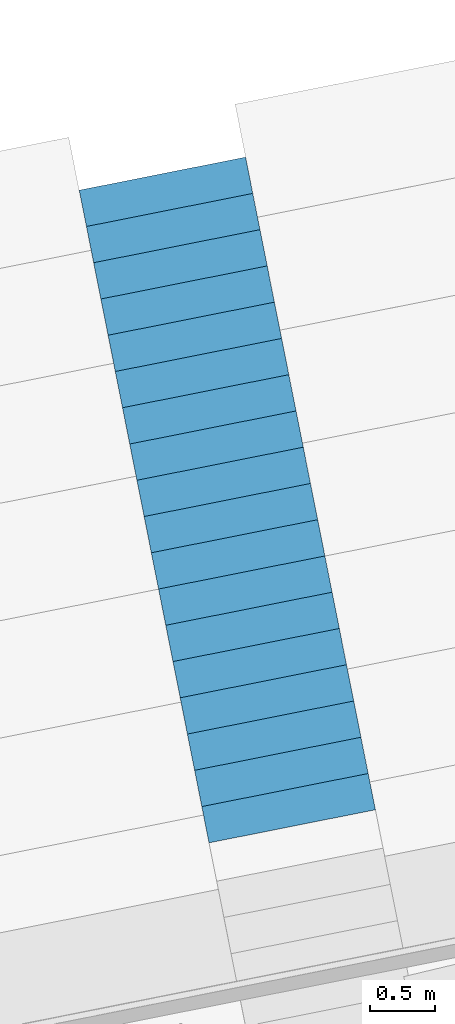
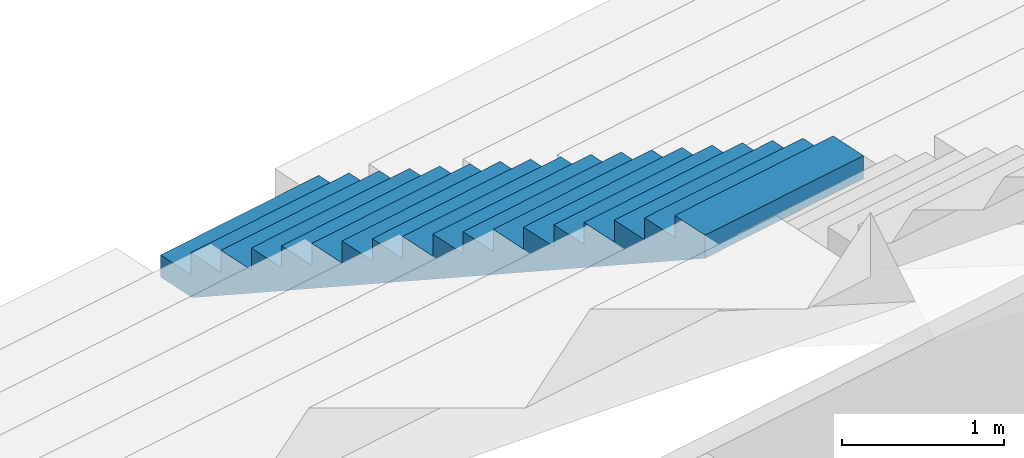
# One storey, part 157 of 249: 1 stair flight, 1 element without a shape of its own.
"""IFC4 building model written with IfcOpenShell, lengths in metres."""

import ifcopenshell
import ifcopenshell.guid

model = None  # the IFC model being written
_history = None  # IfcOwnerHistory: only IFC2X3 demands one
_inside = {}  # id of a spatial element -> (the spatial element, [elements in it])
_under = {}  # id of a project, library or spatial element -> (it, [spatial elements below it])
_declared = {}  # id of a project -> (the project, [libraries it declares])
_typed = {}  # id of a type object -> (the type object, [elements of that type])
_made_of = {}  # id of a material, layer set ... -> (it, [elements and type objects made of it])


def new_model(schema):
    """Start an empty IFC model of exactly this schema.

    Asked for "IFC4X3", IfcOpenShell would pick the latest addendum, in which some entities
    have other attributes; the version numbers below select the first issue.
    IFC2X3 requires an IfcOwnerHistory on every rooted entity: one is made here for all.
    """
    global model, _history
    if schema == "IFC4X3":
        model = ifcopenshell.file(schema_version=(4, 3, 0, 0))
    else:
        model = ifcopenshell.file(schema=schema)
    _inside.clear()
    _under.clear()
    _declared.clear()
    _typed.clear()
    _made_of.clear()
    _history = None
    if model.schema == "IFC2X3":
        org = make("IfcOrganization", Name="unknown")
        user = make(
            "IfcPersonAndOrganization",
            ThePerson=make("IfcPerson", FamilyName="unknown"),
            TheOrganization=org,
        )
        app = make(
            "IfcApplication",
            ApplicationDeveloper=org,
            Version="unknown",
            ApplicationFullName="unknown",
            ApplicationIdentifier="unknown",
        )
        _history = make(
            "IfcOwnerHistory",
            OwningUser=user,
            OwningApplication=app,
            ChangeAction="ADDED",
            CreationDate=0,
        )
    return model


def make(cls, **values):
    """One entity of the class cls with the attributes given. An attribute that is None is left unset."""
    return model.create_entity(
        cls, **{name: value for name, value in values.items() if value is not None}
    )


def rooted(cls, **values):
    """An entity with a GlobalId (a new one), such as an element, a storey or a relation."""
    return make(cls, GlobalId=ifcopenshell.guid.new(), OwnerHistory=_history, **values)


def si_unit(unit_type, name, prefix=None):
    """IfcSIUnit, for example si_unit("LENGTHUNIT", "METRE", prefix="MILLI")."""
    return make("IfcSIUnit", UnitType=unit_type, Prefix=prefix, Name=name)


def assignment(units):
    """IfcUnitAssignment: the units of a project."""
    return None if units is None else make("IfcUnitAssignment", Units=units)


def point(xyz):
    """IfcCartesianPoint."""
    return None if xyz is None else make("IfcCartesianPoint", Coordinates=xyz)


def direction(xyz):
    """IfcDirection."""
    return None if xyz is None else make("IfcDirection", DirectionRatios=xyz)


def frame(location, z_axis=None, x_axis=None):
    """IfcAxis2Placement3D, a coordinate frame: its origin and axes. An axis left out is left unset."""
    return make(
        "IfcAxis2Placement3D",
        Location=point(location),
        Axis=direction(z_axis),
        RefDirection=direction(x_axis),
    )


def origin():
    """The frame at (0, 0, 0) with its axes left unset."""
    return frame((0.0, 0.0, 0.0))


def place(relative_to, where):
    """IfcLocalPlacement: puts the frame where relative to a parent placement (None: the world)."""
    return make(
        "IfcLocalPlacement", PlacementRelTo=relative_to, RelativePlacement=where
    )


def context(
    kind, dimensions, precision=None, world=None, true_north=None, identifier=None
):
    """IfcGeometricRepresentationContext, for example the 3D "Model" context."""
    return make(
        "IfcGeometricRepresentationContext",
        ContextIdentifier=identifier,
        ContextType=kind,
        CoordinateSpaceDimension=dimensions,
        Precision=precision,
        WorldCoordinateSystem=world,
        TrueNorth=true_north,
    )


def subcontext(parent, identifier, kind, view, scale=None):
    """IfcGeometricRepresentationSubContext, for example "Body" below "Model"."""
    return make(
        "IfcGeometricRepresentationSubContext",
        ContextIdentifier=identifier,
        ContextType=kind,
        ParentContext=parent,
        TargetScale=scale,
        TargetView=view,
    )


def project(units=None, contexts=None):
    """IfcProject with its units and contexts."""
    return rooted(
        "IfcProject",
        Name="project",
        RepresentationContexts=contexts,
        UnitsInContext=assignment(units),
    )


def spatial(cls, under=None, at=None, **own):
    """A site, building, storey or space (cls), placed at a placement, below another one or the project."""
    s = rooted(cls, ObjectPlacement=at, **own)
    if under is not None:
        _under.setdefault(under.id(), (under, []))[1].append(s)
    return s


def faces_of(points, faces, orient=None, outer=None):
    """IfcFace entities. A face is a list of loops; a loop is a list of indices into points, from 0.

    orient and outer hold one flag for each loop. By default every Orientation is true, the
    first loop of a face is its IfcFaceOuterBound and the others are IfcFaceBound.
    """
    made = []
    for i, loops in enumerate(faces):
        bounds = []
        for j, loop in enumerate(loops):
            is_outer = j == 0 if outer is None else outer[i][j]
            bounds.append(
                make(
                    "IfcFaceOuterBound" if is_outer else "IfcFaceBound",
                    Bound=make("IfcPolyLoop", Polygon=[points[k] for k in loop]),
                    Orientation=True if orient is None else orient[i][j],
                )
            )
        made.append(make("IfcFace", Bounds=bounds))
    return made


def faceted_brep(points, faces, orient=None, outer=None, voids=None):
    """IfcFacetedBrep: a solid bounded by flat faces; with voids (closed shells), ...WithVoids."""
    shared = [point(p) for p in points]
    hull = make("IfcClosedShell", CfsFaces=faces_of(shared, faces, orient, outer))
    if voids is None:
        return make("IfcFacetedBrep", Outer=hull)
    return make(
        "IfcFacetedBrepWithVoids",
        Outer=hull,
        Voids=[
            make(cls, CfsFaces=faces_of(shared, fs, o, b)) for cls, fs, o, b in voids
        ],
    )


def shape(context_of_items, identifier, shape_type, items):
    """IfcShapeRepresentation: the items that make up one representation, for example the "Body"."""
    return make(
        "IfcShapeRepresentation",
        ContextOfItems=context_of_items,
        RepresentationIdentifier=identifier,
        RepresentationType=shape_type,
        Items=items,
    )


def material(Name=None, Category=None):
    """IfcMaterial."""
    return make("IfcMaterial", Name=Name, Category=Category)


def made_of(thing, what):
    """Note that an element or type object is made of a material, layer set ...; save() writes the relation."""
    if what is not None:
        _made_of.setdefault(what.id(), (what, []))[1].append(thing)
    return thing


def type_object(cls, material=None, **own):
    """A type object (cls), such as IfcWallType, which elements share."""
    return made_of(rooted(cls, **own), material)


def element(
    cls,
    number,
    at=None,
    inside=None,
    cuts=None,
    type_object=None,
    material=None,
    context=None,
    identifier="Body",
    shape_type=None,
    held_by="IfcProductDefinitionShape",
    body=None,
    shapes=None,
    **own,
):
    """One element of the class cls, such as IfcWall. Its Tag is "e" and its number.

    at: its placement. inside: the storey or other place that contains it. cuts: it is an
    opening in that element (IfcRelVoidsElement). A single representation is given by context,
    identifier, shape_type and body (its items); several are given by shapes. held_by: the class
    of the entity that holds the representations. save() writes the other relations.
    """
    e = rooted(cls, Tag="e%d" % number, ObjectPlacement=at, **own)
    if body is not None:
        shapes = [shape(context, identifier, shape_type, body)]
    if shapes is not None:
        e.Representation = make(held_by, Representations=shapes)
    if inside is not None:
        _inside.setdefault(inside.id(), (inside, []))[1].append(e)
    if cuts is not None:
        rooted(
            "IfcRelVoidsElement", RelatingBuildingElement=cuts, RelatedOpeningElement=e
        )
    if type_object is not None:
        _typed.setdefault(type_object.id(), (type_object, []))[1].append(e)
    return made_of(e, material)


def aggregate(whole, parts):
    """IfcRelAggregates: a whole, such as a stair, and the parts it consists of."""
    return rooted("IfcRelAggregates", RelatingObject=whole, RelatedObjects=parts)


def save(model, path):
    """Write the relations noted so far, then the file.

    IfcRelAggregates (storeys below a building ...), IfcRelContainedInSpatialStructure (elements
    in a storey), IfcRelDefinesByType, IfcRelAssociatesMaterial and IfcRelDeclares: one each for
    every whole, place, type object, material and project.
    """
    for whole, parts in _under.values():
        aggregate(whole, parts)
    for where, things in _inside.values():
        rooted(
            "IfcRelContainedInSpatialStructure",
            RelatedElements=things,
            RelatingStructure=where,
        )
    for kind, things in _typed.values():
        rooted("IfcRelDefinesByType", RelatedObjects=things, RelatingType=kind)
    for what, things in _made_of.values():
        rooted("IfcRelAssociatesMaterial", RelatedObjects=things, RelatingMaterial=what)
    for by, libraries in _declared.values():
        rooted("IfcRelDeclares", RelatingContext=by, RelatedDefinitions=libraries)
    model.write(path)


model = new_model("IFC4")

# Units and contexts
model_context = context("Model", 3, precision=1e-05, world=origin(), true_north=direction((0.0, 1.0)))
body_context = subcontext(model_context, "Body", "Model", "MODEL_VIEW")
ifc_project = project(units=[si_unit("LENGTHUNIT", "METRE"), si_unit("AREAUNIT", "SQUARE_METRE"), si_unit("VOLUMEUNIT", "CUBIC_METRE"), si_unit("PLANEANGLEUNIT", "RADIAN"), si_unit("MASSUNIT", "GRAM", prefix="KILO")], contexts=[model_context])

# Site, building, storey
site_placement = place(None, origin())
site = spatial("IfcSite", under=ifc_project, at=site_placement, CompositionType="ELEMENT")
building_placement = place(site_placement, origin())
building = spatial("IfcBuilding", under=site, at=building_placement, Name="Ogive Plaza Stadium", CompositionType="ELEMENT")
storey_placement = place(building_placement, frame((0.0, 0.0, 13.5)))
storey = spatial("IfcBuildingStorey", under=building, at=storey_placement, Name="L03", CompositionType="ELEMENT", Elevation=13.5)

# Stair, stair flight
ifc_material_1 = material(Name="Concrete C40/50", Category="concrete")
stair_type = type_object("IfcStairType", Name="Aisle stair", PredefinedType="STRAIGHT_RUN_STAIR", material=ifc_material_1)
stair_placement = place(storey_placement, origin())
stair = element("IfcStair", 1, at=stair_placement, inside=storey, type_object=stair_type, Name="Aisle stair SA11U", PredefinedType="STRAIGHT_RUN_STAIR")
ifc_material_2 = material(Name="Concrete C40/50", Category="concrete")
stair_flight_type = type_object("IfcStairFlightType", Name="Aisle stair flight", PredefinedType="STRAIGHT", material=ifc_material_2)
stair_flight_placement = place(storey_placement, frame((38.1943359375, -73.5869140625, 0.5), z_axis=(0.0, 0.0, 1.0), x_axis=(0.195090322016, -0.980785280403, 0.0)))
stair_flight = element("IfcStairFlight", 2, at=stair_flight_placement, type_object=stair_flight_type, Name="SA11U flight 1", NumberOfRisers=18, NumberOfTreads=17, PredefinedType="STRAIGHT", RiserHeight=0.166666667, TreadLength=0.283333333, context=body_context, shape_type="Brep", body=[
    faceted_brep([(0.295654296875, -0.64990234375, 0.0), (5.10009765625, -0.64990234375, 2.826171875), (5.10009765625, -0.64990234375, 3.0), (4.816650390625, -0.64990234375, 3.0), (4.816650390625, -0.64990234375, 2.833251953125), (4.533447265625, -0.64990234375, 2.833251953125), (4.533447265625, -0.64990234375, 2.666748046875), (4.25, -0.64990234375, 2.666748046875), (4.25, -0.64990234375, 2.5), (3.966552734375, -0.64990234375, 2.5), (3.966552734375, -0.64990234375, 2.333251953125), (3.683349609375, -0.64990234375, 2.333251953125), (3.683349609375, -0.64990234375, 2.166748046875), (3.39990234375, -0.64990234375, 2.166748046875), (3.39990234375, -0.64990234375, 2.0), (3.11669921875, -0.64990234375, 2.0), (3.11669921875, -0.64990234375, 1.833251953125), (2.833251953125, -0.64990234375, 1.833251953125), (2.833251953125, -0.64990234375, 1.666748046875), (2.550048828125, -0.64990234375, 1.666748046875), (2.550048828125, -0.64990234375, 1.5), (2.2666015625, -0.64990234375, 1.5), (2.2666015625, -0.64990234375, 1.333251953125), (1.9833984375, -0.64990234375, 1.333251953125), (1.9833984375, -0.64990234375, 1.166748046875), (1.699951171875, -0.64990234375, 1.166748046875), (1.699951171875, -0.64990234375, 1.0), (1.416748046875, -0.64990234375, 1.0), (1.416748046875, -0.64990234375, 0.833251953125), (1.13330078125, -0.64990234375, 0.833251953125), (1.13330078125, -0.64990234375, 0.666748046875), (0.85009765625, -0.64990234375, 0.666748046875), (0.85009765625, -0.64990234375, 0.5), (0.566650390625, -0.64990234375, 0.5), (0.566650390625, -0.64990234375, 0.333251953125), (0.283447265625, -0.64990234375, 0.333251953125), (0.283447265625, -0.64990234375, 0.166748046875), (0.0, -0.64990234375, 0.166748046875), (0.0, -0.64990234375, 0.0), (0.0, 0.64990234375, 0.0), (0.0, 0.64990234375, 0.166748046875), (0.283447265625, 0.64990234375, 0.166748046875), (0.283447265625, 0.64990234375, 0.333251953125), (0.566650390625, 0.64990234375, 0.333251953125), (0.566650390625, 0.64990234375, 0.5), (0.85009765625, 0.64990234375, 0.5), (0.85009765625, 0.64990234375, 0.666748046875), (1.13330078125, 0.64990234375, 0.666748046875), (1.13330078125, 0.64990234375, 0.833251953125), (1.416748046875, 0.64990234375, 0.833251953125), (1.416748046875, 0.64990234375, 1.0), (1.699951171875, 0.64990234375, 1.0), (1.699951171875, 0.64990234375, 1.166748046875), (1.9833984375, 0.64990234375, 1.166748046875), (1.9833984375, 0.64990234375, 1.333251953125), (2.2666015625, 0.64990234375, 1.333251953125), (2.2666015625, 0.64990234375, 1.5), (2.550048828125, 0.64990234375, 1.5), (2.550048828125, 0.64990234375, 1.666748046875), (2.833251953125, 0.64990234375, 1.666748046875), (2.833251953125, 0.64990234375, 1.833251953125), (3.11669921875, 0.64990234375, 1.833251953125), (3.11669921875, 0.64990234375, 2.0), (3.39990234375, 0.64990234375, 2.0), (3.39990234375, 0.64990234375, 2.166748046875), (3.683349609375, 0.64990234375, 2.166748046875), (3.683349609375, 0.64990234375, 2.333251953125), (3.966552734375, 0.64990234375, 2.333251953125), (3.966552734375, 0.64990234375, 2.5), (4.25, 0.64990234375, 2.5), (4.25, 0.64990234375, 2.666748046875), (4.533447265625, 0.64990234375, 2.666748046875), (4.533447265625, 0.64990234375, 2.833251953125), (4.816650390625, 0.64990234375, 2.833251953125), (4.816650390625, 0.64990234375, 3.0), (5.10009765625, 0.64990234375, 3.0), (5.10009765625, 0.64990234375, 2.826171875), (0.295654296875, 0.64990234375, 0.0), (0.295654296875, -0.324951171875, 0.0), (5.10009765625, -0.324951171875, 2.826171875), (0.295654296875, 0.0, 0.0), (5.10009765625, 0.0, 2.826171875), (0.295654296875, 0.324951171875, 0.0), (5.10009765625, 0.324951171875, 2.826171875), (5.10009765625, -0.324951171875, 3.0), (5.10009765625, 0.0, 3.0), (5.10009765625, 0.324951171875, 3.0), (4.816650390625, -0.324951171875, 3.0), (4.816650390625, 0.0, 3.0), (4.816650390625, 0.324951171875, 3.0), (4.816650390625, -0.324951171875, 2.833251953125), (4.816650390625, 0.0, 2.833251953125), (4.816650390625, 0.324951171875, 2.833251953125), (4.533447265625, -0.324951171875, 2.833251953125), (4.533447265625, 0.0, 2.833251953125), (4.533447265625, 0.324951171875, 2.833251953125), (4.533447265625, -0.324951171875, 2.666748046875), (4.533447265625, 0.0, 2.666748046875), (4.533447265625, 0.324951171875, 2.666748046875), (4.25, -0.324951171875, 2.666748046875), (4.25, 0.0, 2.666748046875), (4.25, 0.324951171875, 2.666748046875), (4.25, -0.324951171875, 2.5), (4.25, 0.0, 2.5), (4.25, 0.324951171875, 2.5), (3.966552734375, -0.324951171875, 2.5), (3.966552734375, 0.0, 2.5), (3.966552734375, 0.324951171875, 2.5), (3.966552734375, -0.324951171875, 2.333251953125), (3.966552734375, 0.0, 2.333251953125), (3.966552734375, 0.324951171875, 2.333251953125), (3.683349609375, -0.324951171875, 2.333251953125), (3.683349609375, 0.0, 2.333251953125), (3.683349609375, 0.324951171875, 2.333251953125), (3.683349609375, -0.324951171875, 2.166748046875), (3.683349609375, 0.0, 2.166748046875), (3.683349609375, 0.324951171875, 2.166748046875), (3.39990234375, -0.324951171875, 2.166748046875), (3.39990234375, 0.0, 2.166748046875), (3.39990234375, 0.324951171875, 2.166748046875), (3.39990234375, -0.324951171875, 2.0), (3.39990234375, 0.0, 2.0), (3.39990234375, 0.324951171875, 2.0), (3.11669921875, -0.324951171875, 2.0), (3.11669921875, 0.0, 2.0), (3.11669921875, 0.324951171875, 2.0), (3.11669921875, -0.324951171875, 1.833251953125), (3.11669921875, 0.0, 1.833251953125), (3.11669921875, 0.324951171875, 1.833251953125), (2.833251953125, -0.324951171875, 1.833251953125), (2.833251953125, 0.0, 1.833251953125), (2.833251953125, 0.324951171875, 1.833251953125), (2.833251953125, -0.324951171875, 1.666748046875), (2.833251953125, 0.0, 1.666748046875), (2.833251953125, 0.324951171875, 1.666748046875), (2.550048828125, -0.324951171875, 1.666748046875), (2.550048828125, 0.0, 1.666748046875), (2.550048828125, 0.324951171875, 1.666748046875), (2.550048828125, -0.324951171875, 1.5), (2.550048828125, 0.0, 1.5), (2.550048828125, 0.324951171875, 1.5), (2.2666015625, -0.324951171875, 1.5), (2.2666015625, 0.0, 1.5), (2.2666015625, 0.324951171875, 1.5), (2.2666015625, -0.324951171875, 1.333251953125), (2.2666015625, 0.0, 1.333251953125), (2.2666015625, 0.324951171875, 1.333251953125), (1.9833984375, -0.324951171875, 1.333251953125), (1.9833984375, 0.0, 1.333251953125), (1.9833984375, 0.324951171875, 1.333251953125), (1.9833984375, -0.324951171875, 1.166748046875), (1.9833984375, 0.0, 1.166748046875), (1.9833984375, 0.324951171875, 1.166748046875), (1.699951171875, -0.324951171875, 1.166748046875), (1.699951171875, 0.0, 1.166748046875), (1.699951171875, 0.324951171875, 1.166748046875), (1.699951171875, -0.324951171875, 1.0), (1.699951171875, 0.0, 1.0), (1.699951171875, 0.324951171875, 1.0), (1.416748046875, -0.324951171875, 1.0), (1.416748046875, 0.0, 1.0), (1.416748046875, 0.324951171875, 1.0), (1.416748046875, -0.324951171875, 0.833251953125), (1.416748046875, 0.0, 0.833251953125), (1.416748046875, 0.324951171875, 0.833251953125), (1.13330078125, -0.324951171875, 0.833251953125), (1.13330078125, 0.0, 0.833251953125), (1.13330078125, 0.324951171875, 0.833251953125), (1.13330078125, -0.324951171875, 0.666748046875), (1.13330078125, 0.0, 0.666748046875), (1.13330078125, 0.324951171875, 0.666748046875), (0.85009765625, -0.324951171875, 0.666748046875), (0.85009765625, 0.0, 0.666748046875), (0.85009765625, 0.324951171875, 0.666748046875), (0.85009765625, -0.324951171875, 0.5), (0.85009765625, 0.0, 0.5), (0.85009765625, 0.324951171875, 0.5), (0.566650390625, -0.324951171875, 0.5), (0.566650390625, 0.0, 0.5), (0.566650390625, 0.324951171875, 0.5), (0.566650390625, -0.324951171875, 0.333251953125), (0.566650390625, 0.0, 0.333251953125), (0.566650390625, 0.324951171875, 0.333251953125), (0.283447265625, -0.324951171875, 0.333251953125), (0.283447265625, 0.0, 0.333251953125), (0.283447265625, 0.324951171875, 0.333251953125), (0.283447265625, -0.324951171875, 0.166748046875), (0.283447265625, 0.0, 0.166748046875), (0.283447265625, 0.324951171875, 0.166748046875), (0.0, -0.324951171875, 0.166748046875), (0.0, 0.0, 0.166748046875), (0.0, 0.324951171875, 0.166748046875), (0.0, -0.324951171875, 0.0), (0.0, 0.0, 0.0), (0.0, 0.324951171875, 0.0)], [[[0, 1, 2, 3, 4, 5, 6, 7, 8, 9, 10, 11, 12, 13, 14, 15, 16, 17, 18, 19, 20, 21, 22, 23, 24, 25, 26, 27, 28, 29, 30, 31, 32, 33, 34, 35, 36, 37, 38]], [[39, 40, 41, 42, 43, 44, 45, 46, 47, 48, 49, 50, 51, 52, 53, 54, 55, 56, 57, 58, 59, 60, 61, 62, 63, 64, 65, 66, 67, 68, 69, 70, 71, 72, 73, 74, 75, 76, 77]], [[0, 78, 79, 1]], [[78, 80, 81, 79]], [[80, 82, 83, 81]], [[82, 77, 76, 83]], [[1, 79, 84, 2]], [[79, 81, 85, 84]], [[81, 83, 86, 85]], [[83, 76, 75, 86]], [[2, 84, 87, 3]], [[84, 85, 88, 87]], [[85, 86, 89, 88]], [[86, 75, 74, 89]], [[3, 87, 90, 4]], [[87, 88, 91, 90]], [[88, 89, 92, 91]], [[89, 74, 73, 92]], [[4, 90, 93, 5]], [[90, 91, 94, 93]], [[91, 92, 95, 94]], [[92, 73, 72, 95]], [[5, 93, 96, 6]], [[93, 94, 97, 96]], [[94, 95, 98, 97]], [[95, 72, 71, 98]], [[6, 96, 99, 7]], [[96, 97, 100, 99]], [[97, 98, 101, 100]], [[98, 71, 70, 101]], [[7, 99, 102, 8]], [[99, 100, 103, 102]], [[100, 101, 104, 103]], [[101, 70, 69, 104]], [[8, 102, 105, 9]], [[102, 103, 106, 105]], [[103, 104, 107, 106]], [[104, 69, 68, 107]], [[9, 105, 108, 10]], [[105, 106, 109, 108]], [[106, 107, 110, 109]], [[107, 68, 67, 110]], [[10, 108, 111, 11]], [[108, 109, 112, 111]], [[109, 110, 113, 112]], [[110, 67, 66, 113]], [[11, 111, 114, 12]], [[111, 112, 115, 114]], [[112, 113, 116, 115]], [[113, 66, 65, 116]], [[12, 114, 117, 13]], [[114, 115, 118, 117]], [[115, 116, 119, 118]], [[116, 65, 64, 119]], [[13, 117, 120, 14]], [[117, 118, 121, 120]], [[118, 119, 122, 121]], [[119, 64, 63, 122]], [[14, 120, 123, 15]], [[120, 121, 124, 123]], [[121, 122, 125, 124]], [[122, 63, 62, 125]], [[15, 123, 126, 16]], [[123, 124, 127, 126]], [[124, 125, 128, 127]], [[125, 62, 61, 128]], [[16, 126, 129, 17]], [[126, 127, 130, 129]], [[127, 128, 131, 130]], [[128, 61, 60, 131]], [[17, 129, 132, 18]], [[129, 130, 133, 132]], [[130, 131, 134, 133]], [[131, 60, 59, 134]], [[18, 132, 135, 19]], [[132, 133, 136, 135]], [[133, 134, 137, 136]], [[134, 59, 58, 137]], [[19, 135, 138, 20]], [[135, 136, 139, 138]], [[136, 137, 140, 139]], [[137, 58, 57, 140]], [[20, 138, 141, 21]], [[138, 139, 142, 141]], [[139, 140, 143, 142]], [[140, 57, 56, 143]], [[21, 141, 144, 22]], [[141, 142, 145, 144]], [[142, 143, 146, 145]], [[143, 56, 55, 146]], [[22, 144, 147, 23]], [[144, 145, 148, 147]], [[145, 146, 149, 148]], [[146, 55, 54, 149]], [[23, 147, 150, 24]], [[147, 148, 151, 150]], [[148, 149, 152, 151]], [[149, 54, 53, 152]], [[24, 150, 153, 25]], [[150, 151, 154, 153]], [[151, 152, 155, 154]], [[152, 53, 52, 155]], [[25, 153, 156, 26]], [[153, 154, 157, 156]], [[154, 155, 158, 157]], [[155, 52, 51, 158]], [[26, 156, 159, 27]], [[156, 157, 160, 159]], [[157, 158, 161, 160]], [[158, 51, 50, 161]], [[27, 159, 162, 28]], [[159, 160, 163, 162]], [[160, 161, 164, 163]], [[161, 50, 49, 164]], [[28, 162, 165, 29]], [[162, 163, 166, 165]], [[163, 164, 167, 166]], [[164, 49, 48, 167]], [[29, 165, 168, 30]], [[165, 166, 169, 168]], [[166, 167, 170, 169]], [[167, 48, 47, 170]], [[30, 168, 171, 31]], [[168, 169, 172, 171]], [[169, 170, 173, 172]], [[170, 47, 46, 173]], [[31, 171, 174, 32]], [[171, 172, 175, 174]], [[172, 173, 176, 175]], [[173, 46, 45, 176]], [[32, 174, 177, 33]], [[174, 175, 178, 177]], [[175, 176, 179, 178]], [[176, 45, 44, 179]], [[33, 177, 180, 34]], [[177, 178, 181, 180]], [[178, 179, 182, 181]], [[179, 44, 43, 182]], [[34, 180, 183, 35]], [[180, 181, 184, 183]], [[181, 182, 185, 184]], [[182, 43, 42, 185]], [[35, 183, 186, 36]], [[183, 184, 187, 186]], [[184, 185, 188, 187]], [[185, 42, 41, 188]], [[36, 186, 189, 37]], [[186, 187, 190, 189]], [[187, 188, 191, 190]], [[188, 41, 40, 191]], [[37, 189, 192, 38]], [[189, 190, 193, 192]], [[190, 191, 194, 193]], [[191, 40, 39, 194]], [[38, 192, 78, 0]], [[192, 193, 80, 78]], [[193, 194, 82, 80]], [[194, 39, 77, 82]]]),
])
aggregate(stair, [stair_flight])

save(model, "model.ifc")
